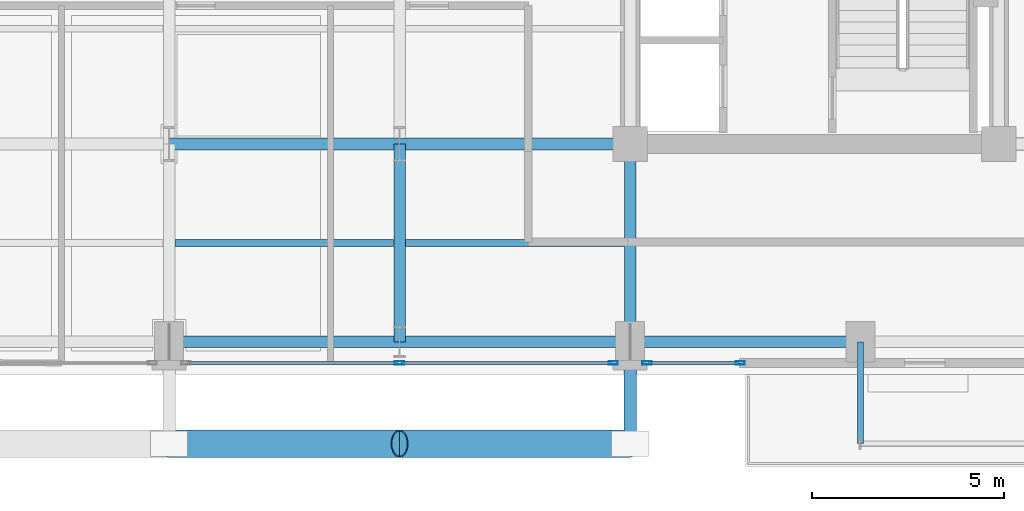
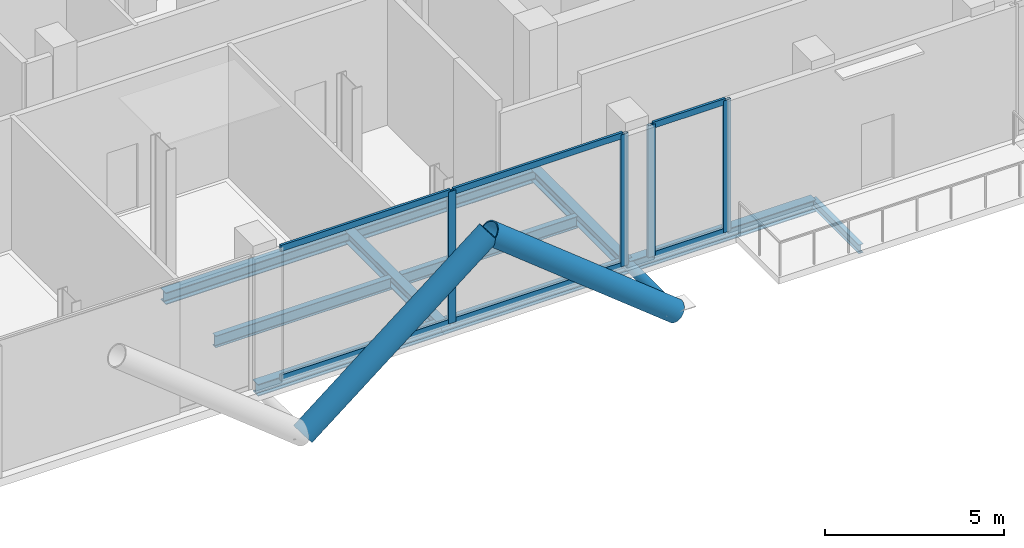
# One storey, part 3 of 22: 13 members, 10 beams, 2 elements without a shape of their own.
"""IFC4 building model written with IfcOpenShell, lengths in metres."""

from ifc_helpers import new_model, si_unit, direction, frame, origin, origin_2d, place, context, subcontext, project, spatial, hollow_rectangle, hollow_circle, i_section, extrude, material, layer, layer_set, material_profile, profile_set, type_object, element, aggregate, save


model = new_model("IFC4")

# Units and contexts
model_context = context("Model", 3, precision=1e-05, world=origin(), true_north=direction((0.0, 1.0)))
body_context = subcontext(model_context, "Body", "Model", "MODEL_VIEW")
ifc_project = project(units=[si_unit("LENGTHUNIT", "METRE"), si_unit("AREAUNIT", "SQUARE_METRE"), si_unit("VOLUMEUNIT", "CUBIC_METRE"), si_unit("PLANEANGLEUNIT", "RADIAN"), si_unit("MASSUNIT", "GRAM", prefix="KILO"), si_unit("THERMODYNAMICTEMPERATUREUNIT", "KELVIN"), si_unit("POWERUNIT", "WATT")], contexts=[model_context])

# Site, building, storey
site_placement = place(None, origin())
site = spatial("IfcSite", under=ifc_project, at=site_placement, CompositionType="ELEMENT")
building_placement = place(site_placement, origin())
building = spatial("IfcBuilding", under=site, at=building_placement, Name="Svarakhadi Broadcast Tower", CompositionType="ELEMENT")
storey_placement = place(building_placement, frame((0.0, 0.0, 199.199951171875)))
storey = spatial("IfcBuildingStorey", under=building, at=storey_placement, Name="L49", CompositionType="ELEMENT", Elevation=199.199951171875)

# Beams
ifc_material_1 = material(Name="Steel S355J2 (IS 2062 E350C)", Category="steel")
ifc_material_profile_1 = material_profile(ifc_material_1, i_section(OverallWidth=0.179931640625, OverallDepth=0.39990234375, WebThickness=0.008544921875, FlangeThickness=0.013427734375, FilletRadius=0.02099609375, at=origin_2d()), Name="NPB 400x180x66")
ifc_profile_set_1 = profile_set([ifc_material_profile_1], Name="Steel S355J2 (IS 2062 E350C)")
beam_type_1 = type_object("IfcBeamType", Name="Beam_NPB400", PredefinedType="BEAM", material=ifc_profile_set_1)
for number, where, z_axis, x_axis, name in (
    (1, (12.159912109375, 3.425048828125, -0.474853515625), (1.0, 0.0, 0.0), (0.0, 1.0, 0.0), "L49 Secondary Composite Beam SB009"),
    (2, (18.159912109375, 3.425048828125, -0.474853515625), (1.0, 0.0, 0.0), (0.0, 1.0, 0.0), "L49 Secondary Composite Beam SB013"),
):
    element("IfcBeam", number, at=place(storey_placement, frame(where, z_axis=z_axis, x_axis=x_axis)), inside=storey, type_object=beam_type_1, Name=name, PredefinedType="BEAM", context=body_context, shape_type="SweptSolid", body=[
        extrude(i_section(OverallWidth=0.179931640625, OverallDepth=0.39990234375, WebThickness=0.008544921875, FlangeThickness=0.013427734375, FilletRadius=0.02099609375, at=origin_2d()), origin(), (0.0, 0.0, 1.0), 5.68017578125),
    ])

# Curtain wall, members
ifc_material_2 = material(Name="Anodised Bronze Aluminium AA 6063-T6", Category="aluminium")
ifc_layer = layer(ifc_material_2, 0.239990234375)
ifc_layer_set = layer_set([ifc_layer], Name="Anodised Bronze Aluminium AA 6063-T6")
curtain_wall_type = type_object("IfcCurtainWallType", Name="CW_Sys_06", PredefinedType="NOTDEFINED", material=ifc_layer_set)
curtain_wall_1_placement = place(storey_placement, origin())
curtain_wall_1 = element("IfcCurtainWall", 3, at=curtain_wall_1_placement, inside=storey, type_object=curtain_wall_type, Name="L49 South Curtain Wall 16 Bay 1", PredefinedType="NOTDEFINED")
ifc_material_profile_2 = material_profile(ifc_material_2, hollow_rectangle(XDim=0.090087890625, YDim=0.239990234375, WallThickness=0.006103515625, at=origin_2d()), Name="ALU MULLION 240x90x6")
ifc_profile_set_2 = profile_set([ifc_material_profile_2], Name="Anodised Bronze Aluminium AA 6063-T6")
member_type_1 = type_object("IfcMemberType", Name="CW_Sys_06_Mul", PredefinedType="MULLION", material=ifc_profile_set_2)
member_1_placement = place(storey_placement, frame((26.864990234375, 0.300048828125, 0.0), z_axis=(0.0, 0.0, 1.0), x_axis=(0.0, -1.0, 0.0)))
member_1 = element("IfcMember", 4, at=member_1_placement, type_object=member_type_1, Name="CW-06 mullion 1", PredefinedType="MULLION", context=body_context, shape_type="SweptSolid", body=[
    extrude(hollow_rectangle(XDim=0.090087890625, YDim=0.239990234375, WallThickness=0.006103515625, at=origin_2d()), origin(), (0.0, 0.0, 1.0), 4.5),
])
member_2_placement = place(storey_placement, frame((24.43994140625, 0.300048828125, 0.0), z_axis=(0.0, 0.0, 1.0), x_axis=(0.0, -1.0, 0.0)))
member_2 = element("IfcMember", 5, at=member_2_placement, type_object=member_type_1, Name="CW-06 mullion 2", PredefinedType="MULLION", context=body_context, shape_type="SweptSolid", body=[
    extrude(hollow_rectangle(XDim=0.090087890625, YDim=0.239990234375, WallThickness=0.006103515625, at=origin_2d()), origin(), (0.0, 0.0, 1.0), 4.5),
])

curtain_wall_2_placement = place(storey_placement, origin())
curtain_wall_2 = element("IfcCurtainWall", 6, at=curtain_wall_2_placement, inside=storey, type_object=curtain_wall_type, Name="L49 South Curtain Wall 16 Bay 2", PredefinedType="NOTDEFINED")
member_3_placement = place(storey_placement, frame((23.56005859375, 0.300048828125, 0.0), z_axis=(0.0, 0.0, 1.0), x_axis=(0.0, -1.0, 0.0)))
member_3 = element("IfcMember", 7, at=member_3_placement, type_object=member_type_1, Name="CW-06 mullion 1", PredefinedType="MULLION", context=body_context, shape_type="SweptSolid", body=[
    extrude(hollow_rectangle(XDim=0.090087890625, YDim=0.239990234375, WallThickness=0.006103515625, at=origin_2d()), origin(), (0.0, 0.0, 1.0), 4.5),
])
member_4_placement = place(storey_placement, frame((18.0, 0.300048828125, 0.0), z_axis=(0.0, 0.0, 1.0), x_axis=(0.0, -1.0, 0.0)))
member_4 = element("IfcMember", 8, at=member_4_placement, type_object=member_type_1, Name="CW-06 mullion 2", PredefinedType="MULLION", context=body_context, shape_type="SweptSolid", body=[
    extrude(hollow_rectangle(XDim=0.090087890625, YDim=0.239990234375, WallThickness=0.006103515625, at=origin_2d()), origin(), (0.0, 0.0, 1.0), 4.5),
])

# Member
ifc_material_profile_3 = material_profile(ifc_material_2, hollow_rectangle(XDim=0.080078125, YDim=0.2099609375, WallThickness=0.0048828125, at=origin_2d()), Name="ALU TRANSOM 210x80x5")
ifc_profile_set_3 = profile_set([ifc_material_profile_3], Name="Anodised Bronze Aluminium AA 6063-T6")
member_type_2 = type_object("IfcMemberType", Name="CW_Sys_06_Trn", PredefinedType="USERDEFINED", material=ifc_profile_set_3)
member_5_placement = place(storey_placement, frame((26.820068359375, 0.300048828125, 0.0400390625), z_axis=(-1.0, 0.0, 0.0), x_axis=(0.0, -1.0, 0.0)))
member_5 = element("IfcMember", 9, at=member_5_placement, type_object=member_type_2, Name="CW-06 transom 1.1", ObjectType="TRANSOM", PredefinedType="USERDEFINED", context=body_context, shape_type="SweptSolid", body=[
    extrude(hollow_rectangle(XDim=0.080078125, YDim=0.2099609375, WallThickness=0.0048828125, at=origin_2d()), origin(), (0.0, 0.0, 1.0), 2.3349609375),
])

member_6_placement = place(storey_placement, frame((26.820068359375, 0.300048828125, 4.4599609375), z_axis=(-1.0, 0.0, 0.0), x_axis=(0.0, -1.0, 0.0)))
member_6 = element("IfcMember", 10, at=member_6_placement, type_object=member_type_2, Name="CW-06 transom 1.2", ObjectType="TRANSOM", PredefinedType="USERDEFINED", context=body_context, shape_type="SweptSolid", body=[
    extrude(hollow_rectangle(XDim=0.080078125, YDim=0.2099609375, WallThickness=0.0048828125, at=origin_2d()), origin(), (0.0, 0.0, 1.0), 2.3349609375),
])

aggregate(curtain_wall_1, [member_1, member_2, member_5, member_6])

member_7_placement = place(storey_placement, frame((23.514892578125, 0.300048828125, 0.0400390625), z_axis=(-1.0, 0.0, 0.0), x_axis=(0.0, -1.0, 0.0)))
member_7 = element("IfcMember", 11, at=member_7_placement, type_object=member_type_2, Name="CW-06 transom 1.1", ObjectType="TRANSOM", PredefinedType="USERDEFINED", context=body_context, shape_type="SweptSolid", body=[
    extrude(hollow_rectangle(XDim=0.080078125, YDim=0.2099609375, WallThickness=0.0048828125, at=origin_2d()), origin(), (0.0, 0.0, 1.0), 5.469970703125),
])

member_8_placement = place(storey_placement, frame((23.514892578125, 0.300048828125, 4.4599609375), z_axis=(-1.0, 0.0, 0.0), x_axis=(0.0, -1.0, 0.0)))
member_8 = element("IfcMember", 12, at=member_8_placement, type_object=member_type_2, Name="CW-06 transom 1.2", ObjectType="TRANSOM", PredefinedType="USERDEFINED", context=body_context, shape_type="SweptSolid", body=[
    extrude(hollow_rectangle(XDim=0.080078125, YDim=0.2099609375, WallThickness=0.0048828125, at=origin_2d()), origin(), (0.0, 0.0, 1.0), 5.469970703125),
])

member_9_placement = place(storey_placement, frame((17.955078125, 0.300048828125, 0.0400390625), z_axis=(-1.0, 0.0, 0.0), x_axis=(0.0, -1.0, 0.0)))
member_9 = element("IfcMember", 13, at=member_9_placement, type_object=member_type_2, Name="CW-06 transom 2.1", ObjectType="TRANSOM", PredefinedType="USERDEFINED", context=body_context, shape_type="SweptSolid", body=[
    extrude(hollow_rectangle(XDim=0.080078125, YDim=0.2099609375, WallThickness=0.0048828125, at=origin_2d()), origin(), (0.0, 0.0, 1.0), 5.469970703125),
])

member_10_placement = place(storey_placement, frame((17.955078125, 0.300048828125, 4.4599609375), z_axis=(-1.0, 0.0, 0.0), x_axis=(0.0, -1.0, 0.0)))
member_10 = element("IfcMember", 14, at=member_10_placement, type_object=member_type_2, Name="CW-06 transom 2.2", ObjectType="TRANSOM", PredefinedType="USERDEFINED", context=body_context, shape_type="SweptSolid", body=[
    extrude(hollow_rectangle(XDim=0.080078125, YDim=0.2099609375, WallThickness=0.0048828125, at=origin_2d()), origin(), (0.0, 0.0, 1.0), 5.469970703125),
])

aggregate(curtain_wall_2, [member_3, member_4, member_7, member_8, member_9, member_10])

# Members
ifc_material_3 = material(Name="Steel S460ML (IS 2062 E450BR)", Category="steel")
ifc_material_profile_4 = material_profile(ifc_material_3, hollow_circle(Radius=0.35546875, WallThickness=0.034912109375, at=origin_2d()), Name="CHS 711x35")
ifc_profile_set_4 = profile_set([ifc_material_profile_4], Name="Steel S460ML (IS 2062 E450BR)")
member_type_3 = type_object("IfcMemberType", Name="Exo_Brace_CHS711", PredefinedType="BRACE", material=ifc_profile_set_4)
for number, where, z_axis, x_axis, name in (
    (15, (12.0, -1.800048828125, -0.43701171875), (0.782447330292, 0.0, 0.622716769742), (0.0, 1.0, 0.0), "L49 Exposed Bronze Exoskeleton Diagonal S02"),
    (16, (24.0, -1.800048828125, -0.43701171875), (-0.782447330292, 0.0, 0.622716769742), (0.0, -1.0, 0.0), "L49 Exposed Bronze Exoskeleton Diagonal S03"),
):
    element("IfcMember", number, at=place(storey_placement, frame(where, z_axis=z_axis, x_axis=x_axis)), inside=storey, type_object=member_type_3, Name=name, PredefinedType="BRACE", context=body_context, shape_type="SweptSolid", body=[
        extrude(hollow_circle(Radius=0.35546875, WallThickness=0.034912109375, at=origin_2d()), origin(), (0.0, 0.0, 1.0), 7.668212890625),
    ])
ifc_material_profile_5 = material_profile(ifc_material_3, hollow_circle(Radius=0.161865234375, WallThickness=0.01611328125, at=origin_2d()), Name="CHS 323.9x16")
ifc_profile_set_5 = profile_set([ifc_material_profile_5], Name="Steel S460ML (IS 2062 E450BR)")
member_type_4 = type_object("IfcMemberType", Name="Exo_Radial_Strut_Z2", PredefinedType="STRUT", material=ifc_profile_set_5)
member_11_placement = place(storey_placement, frame((24.0, -1.800048828125, -0.43701171875), z_axis=(0.0, 1.0, 0.0), x_axis=(-1.0, 0.0, 0.0)))
element("IfcMember", 17, at=member_11_placement, inside=storey, type_object=member_type_4, Name="L49 Exoskeleton Radial Tie Strut S02", PredefinedType="STRUT", context=body_context, shape_type="SweptSolid", body=[
    extrude(hollow_circle(Radius=0.161865234375, WallThickness=0.01611328125, at=origin_2d()), origin(), (0.0, 0.0, 1.0), 2.650146484375),
])

# Beams
ifc_material_profile_6 = material_profile(ifc_material_1, i_section(OverallWidth=0.300048828125, OverallDepth=0.39990234375, WebThickness=0.013427734375, FlangeThickness=0.02392578125, FilletRadius=0.027099609375, at=origin_2d()), Name="WPB 400x300x155")
ifc_profile_set_6 = profile_set([ifc_material_profile_6], Name="Steel S355J2 (IS 2062 E350C)")
beam_type_2 = type_object("IfcBeamType", Name="Girder_WPB400", PredefinedType="USERDEFINED", material=ifc_profile_set_6)
for number, where, z_axis, x_axis, name in (
    (18, (12.0, 0.85009765625, -0.474853515625), (1.0, 0.0, 0.0), (0.0, 1.0, 0.0), "L49 Primary E-W Girder G005"),
    (19, (18.0, 0.85009765625, -0.474853515625), (1.0, 0.0, 0.0), (0.0, 1.0, 0.0), "L49 Primary E-W Girder G006"),
    (20, (24.0, 0.85009765625, -0.474853515625), (1.0, 0.0, 0.0), (0.0, 1.0, 0.0), "L49 Primary E-W Girder G007"),
    (21, (12.0, 6.0, -0.474853515625), (1.0, 0.0, 0.0), (0.0, 1.0, 0.0), "L49 Primary E-W Girder G011"),
    (22, (18.0, 6.0, -0.474853515625), (1.0, 0.0, 0.0), (0.0, 1.0, 0.0), "L49 Primary E-W Girder G012"),
):
    element("IfcBeam", number, at=place(storey_placement, frame(where, z_axis=z_axis, x_axis=x_axis)), inside=storey, type_object=beam_type_2, Name=name, ObjectType="GIRDER", PredefinedType="USERDEFINED", context=body_context, shape_type="SweptSolid", body=[
        extrude(i_section(OverallWidth=0.300048828125, OverallDepth=0.39990234375, WebThickness=0.013427734375, FlangeThickness=0.02392578125, FilletRadius=0.027099609375, at=origin_2d()), origin(), (0.0, 0.0, 1.0), 6.0),
    ])
for number, where, z_axis, x_axis, name in (
    (23, (18.0, 0.85009765625, -0.474853515625), (0.0, 1.0, 0.0), (-1.0, 0.0, 0.0), "L49 Primary N-S Girder G046"),
    (24, (24.0, 0.85009765625, -0.474853515625), (0.0, 1.0, 0.0), (-1.0, 0.0, 0.0), "L49 Primary N-S Girder G051"),
):
    element("IfcBeam", number, at=place(storey_placement, frame(where, z_axis=z_axis, x_axis=x_axis)), inside=storey, type_object=beam_type_2, Name=name, ObjectType="GIRDER", PredefinedType="USERDEFINED", context=body_context, shape_type="SweptSolid", body=[
        extrude(i_section(OverallWidth=0.300048828125, OverallDepth=0.39990234375, WebThickness=0.013427734375, FlangeThickness=0.02392578125, FilletRadius=0.027099609375, at=origin_2d()), origin(), (0.0, 0.0, 1.0), 5.14990234375),
    ])
ifc_material_profile_7 = material_profile(ifc_material_1, i_section(OverallWidth=0.14990234375, OverallDepth=0.300048828125, WebThickness=0.007080078125, FlangeThickness=0.0107421875, FilletRadius=0.014892578125, at=origin_2d()), Name="NPB 300x150x37")
ifc_profile_set_7 = profile_set([ifc_material_profile_7], Name="Steel S355J2 (IS 2062 E350C)")
beam_type_3 = type_object("IfcBeamType", Name="Spandrel_NPB300", PredefinedType="SPANDREL", material=ifc_profile_set_7)
beam_placement = place(storey_placement, frame((30.0, 0.85009765625, -0.425048828125), z_axis=(0.0, -1.0, 0.0), x_axis=(1.0, 0.0, 0.0)))
element("IfcBeam", 25, at=beam_placement, inside=storey, type_object=beam_type_3, Name="L49 Balcony Cantilever Bracket 1A", PredefinedType="SPANDREL", context=body_context, shape_type="SweptSolid", body=[
    extrude(i_section(OverallWidth=0.14990234375, OverallDepth=0.300048828125, WebThickness=0.007080078125, FlangeThickness=0.0107421875, FilletRadius=0.014892578125, at=origin_2d()), origin(), (0.0, 0.0, 1.0), 2.650146484375),
])

save(model, "model.ifc")
